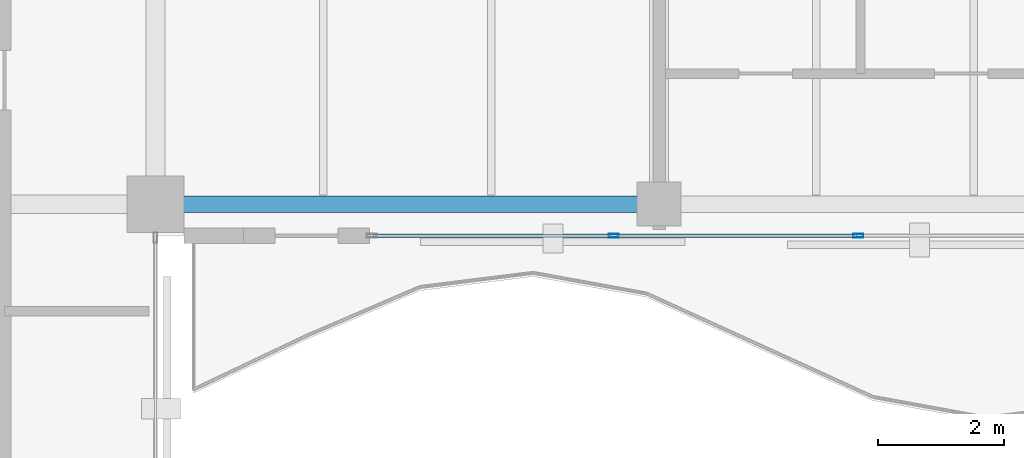
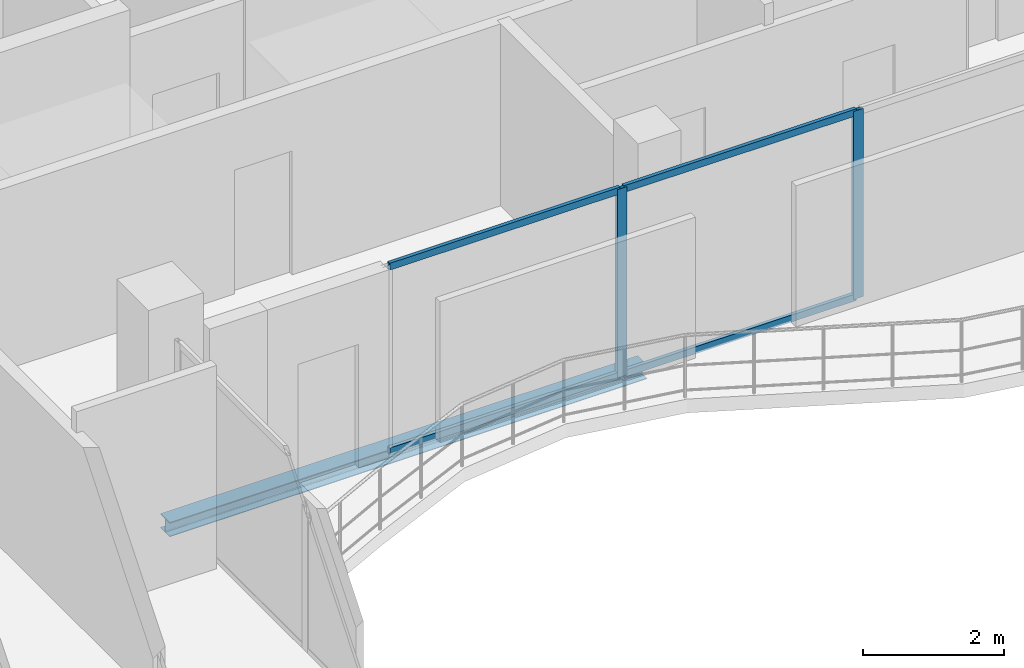
# One storey, part 9 of 23: 6 members, 1 beam, 1 element without a shape of its own.
"""IFC4 building model written with IfcOpenShell, lengths in metres."""

from ifc_helpers import new_model, si_unit, direction, frame, origin, origin_2d, place, context, subcontext, project, spatial, hollow_rectangle, i_section, extrude, material, layer, layer_set, material_profile, profile_set, type_object, element, aggregate, save


model = new_model("IFC4")

# Units and contexts
model_context = context("Model", 3, precision=1e-05, world=origin(), true_north=direction((0.0, 1.0)))
body_context = subcontext(model_context, "Body", "Model", "MODEL_VIEW")
ifc_project = project(units=[si_unit("LENGTHUNIT", "METRE"), si_unit("AREAUNIT", "SQUARE_METRE"), si_unit("VOLUMEUNIT", "CUBIC_METRE"), si_unit("PLANEANGLEUNIT", "RADIAN"), si_unit("MASSUNIT", "GRAM", prefix="KILO")], contexts=[model_context])

# Site, building, storey
site_placement = place(None, origin())
site = spatial("IfcSite", under=ifc_project, at=site_placement, CompositionType="ELEMENT")
building_placement = place(site_placement, origin())
building = spatial("IfcBuilding", under=site, at=building_placement, Name="Catumbela Crestline Tower", CompositionType="ELEMENT")
storey_placement = place(building_placement, frame((0.0, 0.0, 252.6)))
storey = spatial("IfcBuildingStorey", under=building, at=storey_placement, Name="L65", CompositionType="ELEMENT", Elevation=252.6)

# Curtain wall, members
ifc_material_1 = material(Name="Aluminium alloy AW-6060-T66", Category="aluminium")
ifc_layer = layer(ifc_material_1, 0.18, Name="Aluminium alloy AW-6060-T66")
ifc_layer_set = layer_set([ifc_layer], Name="Aluminium alloy AW-6060-T66")
curtain_wall_type = type_object("IfcCurtainWallType", Name="CWU-Z4", PredefinedType="USERDEFINED", material=ifc_layer_set)
curtain_wall_placement = place(storey_placement, origin())
curtain_wall = element("IfcCurtainWall", 1, at=curtain_wall_placement, inside=storey, type_object=curtain_wall_type, Name="L65 Unitised Curtain Wall CW-L65-E3S2", ObjectType="UNITISED", PredefinedType="USERDEFINED")
ifc_material_profile_1 = material_profile(ifc_material_1, hollow_rectangle(XDim=0.06, YDim=0.16, WallThickness=0.004, at=origin_2d()), Name="ALU 160x60x4")
ifc_profile_set_1 = profile_set([ifc_material_profile_1], Name="Aluminium alloy AW-6060-T66")
member_type_1 = type_object("IfcMemberType", Name="MUL-160X60", PredefinedType="MULLION", material=ifc_profile_set_1)
member_1_placement = place(storey_placement, frame((31.2833, 24.0, 0.0), z_axis=(0.0, 0.0, 1.0), x_axis=(0.0, 1.0, 0.0)))
member_1 = element("IfcMember", 2, at=member_1_placement, type_object=member_type_1, Name="CWU-Z4 mullion 2", PredefinedType="MULLION", context=body_context, shape_type="SweptSolid", body=[
    extrude(hollow_rectangle(XDim=0.06, YDim=0.16, WallThickness=0.004, at=origin_2d()), origin(), (0.0, 0.0, 1.0), 3.27),
])
member_2_placement = place(storey_placement, frame((35.1667, 24.0, 0.0), z_axis=(0.0, 0.0, 1.0), x_axis=(0.0, 1.0, 0.0)))
member_2 = element("IfcMember", 3, at=member_2_placement, type_object=member_type_1, Name="CWU-Z4 mullion 3", PredefinedType="MULLION", context=body_context, shape_type="SweptSolid", body=[
    extrude(hollow_rectangle(XDim=0.06, YDim=0.16, WallThickness=0.004, at=origin_2d()), origin(), (0.0, 0.0, 1.0), 3.27),
])

# Beam
ifc_material_2 = material(Name="Structural steel S355J2", Category="steel")
ifc_material_profile_2 = material_profile(ifc_material_2, i_section(OverallWidth=0.26, OverallDepth=0.25, WebThickness=0.0075, FlangeThickness=0.0125, FilletRadius=0.024, at=origin_2d()), Name="HEA 260")
ifc_profile_set_2 = profile_set([ifc_material_profile_2], Name="Structural steel S355J2")
beam_type = type_object("IfcBeamType", Name="BS-HEA260", PredefinedType="SPANDREL", material=ifc_profile_set_2)
beam_placement = place(storey_placement, frame((24.08, 24.5, -0.385), z_axis=(1.0, 0.0, 0.0), x_axis=(0.0, 1.0, 0.0)))
element("IfcBeam", 4, at=beam_placement, inside=storey, type_object=beam_type, Name="L65 Spandrel SP-L65-S04", PredefinedType="SPANDREL", context=body_context, shape_type="SweptSolid", body=[
    extrude(i_section(OverallWidth=0.26, OverallDepth=0.25, WebThickness=0.0075, FlangeThickness=0.0125, FilletRadius=0.024, at=origin_2d()), origin(), (0.0, 0.0, 1.0), 7.84),
])

# Member
ifc_material_profile_3 = material_profile(ifc_material_1, hollow_rectangle(XDim=0.06, YDim=0.12, WallThickness=0.0035, at=origin_2d()), Name="ALU 120x60x3.5")
ifc_profile_set_3 = profile_set([ifc_material_profile_3], Name="Aluminium alloy AW-6060-T66")
member_type_2 = type_object("IfcMemberType", Name="TRN-120X60", PredefinedType="USERDEFINED", material=ifc_profile_set_3)
member_3_placement = place(storey_placement, frame((27.465, 24.0, 0.03), z_axis=(1.0, 0.0, 0.0), x_axis=(0.0, 1.0, 0.0)))
member_3 = element("IfcMember", 5, at=member_3_placement, type_object=member_type_2, Name="CWU-Z4 transom 1.1", ObjectType="TRANSOM", PredefinedType="USERDEFINED", context=body_context, shape_type="SweptSolid", body=[
    extrude(hollow_rectangle(XDim=0.06, YDim=0.12, WallThickness=0.0035, at=origin_2d()), origin(), (0.0, 0.0, 1.0), 3.7858),
])

member_4_placement = place(storey_placement, frame((27.465, 24.0, 3.24), z_axis=(1.0, 0.0, 0.0), x_axis=(0.0, 1.0, 0.0)))
member_4 = element("IfcMember", 6, at=member_4_placement, type_object=member_type_2, Name="CWU-Z4 transom 1.2", ObjectType="TRANSOM", PredefinedType="USERDEFINED", context=body_context, shape_type="SweptSolid", body=[
    extrude(hollow_rectangle(XDim=0.06, YDim=0.12, WallThickness=0.0035, at=origin_2d()), origin(), (0.0, 0.0, 1.0), 3.7858),
])

member_5_placement = place(storey_placement, frame((31.3158, 24.0, 0.03), z_axis=(1.0, 0.0, 0.0), x_axis=(0.0, 1.0, 0.0)))
member_5 = element("IfcMember", 7, at=member_5_placement, type_object=member_type_2, Name="CWU-Z4 transom 2.1", ObjectType="TRANSOM", PredefinedType="USERDEFINED", context=body_context, shape_type="SweptSolid", body=[
    extrude(hollow_rectangle(XDim=0.06, YDim=0.12, WallThickness=0.0035, at=origin_2d()), origin(), (0.0, 0.0, 1.0), 3.8184),
])

member_6_placement = place(storey_placement, frame((31.3158, 24.0, 3.24), z_axis=(1.0, 0.0, 0.0), x_axis=(0.0, 1.0, 0.0)))
member_6 = element("IfcMember", 8, at=member_6_placement, type_object=member_type_2, Name="CWU-Z4 transom 2.2", ObjectType="TRANSOM", PredefinedType="USERDEFINED", context=body_context, shape_type="SweptSolid", body=[
    extrude(hollow_rectangle(XDim=0.06, YDim=0.12, WallThickness=0.0035, at=origin_2d()), origin(), (0.0, 0.0, 1.0), 3.8184),
])

aggregate(curtain_wall, [member_1, member_2, member_3, member_4, member_5, member_6])

save(model, "model.ifc")
